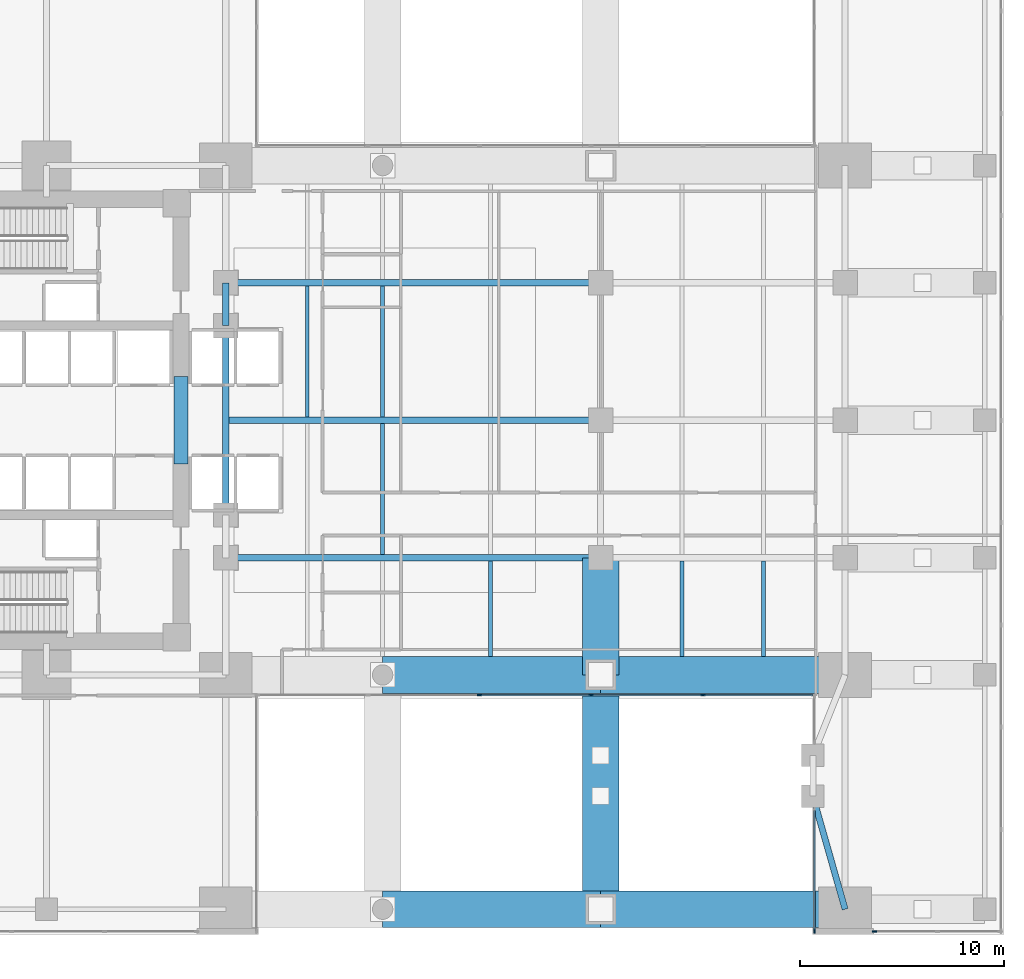
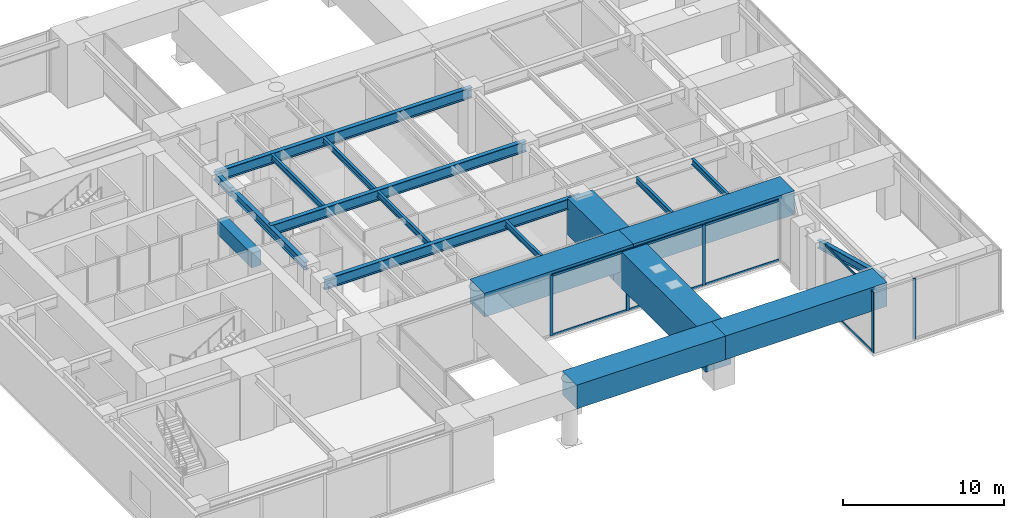
# One storey, part 3 of 13: 19 beams, 13 members, 3 elements without a shape of their own.
"""IFC4 building model written with IfcOpenShell, lengths in metres."""

from ifc_helpers import new_model, si_unit, direction, frame, origin, origin_2d, place, context, subcontext, project, spatial, rectangle, i_section, extrude, material, layer, layer_set, material_profile, profile_set, type_object, element, aggregate, save


model = new_model("IFC4")

# Units and contexts
model_context = context("Model", 3, precision=1e-05, world=origin(), true_north=direction((0.0, 1.0)))
body_context = subcontext(model_context, "Body", "Model", "MODEL_VIEW")
ifc_project = project(units=[si_unit("LENGTHUNIT", "METRE"), si_unit("AREAUNIT", "SQUARE_METRE"), si_unit("VOLUMEUNIT", "CUBIC_METRE"), si_unit("PLANEANGLEUNIT", "RADIAN"), si_unit("MASSUNIT", "GRAM", prefix="KILO")], contexts=[model_context])

# Site, building, storey
site_placement = place(None, origin())
site = spatial("IfcSite", under=ifc_project, at=site_placement, CompositionType="ELEMENT")
building_placement = place(site_placement, origin())
building = spatial("IfcBuilding", under=site, at=building_placement, Name="Kinhvarn Gate Tower", CompositionType="ELEMENT")
storey_placement = place(building_placement, frame((0.0, 0.0, 15.60009765625)))
storey = spatial("IfcBuildingStorey", under=building, at=storey_placement, Name="L03", CompositionType="ELEMENT", Elevation=15.60009765625)

# Beams
ifc_material_1 = material(Name="Concrete C70/85", Category="concrete")
ifc_material_profile_1 = material_profile(ifc_material_1, rectangle(XDim=0.699951171875, YDim=1.10009765625, at=origin_2d()), Name="RC 700x1100")
ifc_profile_set_1 = profile_set([ifc_material_profile_1], Name="Concrete C70/85")
beam_type_1 = type_object("IfcBeamType", Name="BM-CB-1100", PredefinedType="LINTEL", material=ifc_profile_set_1)
beam_1_placement = place(storey_placement, frame((17.60009765625, 23.10009765625, 4.0498046875), z_axis=(0.0, 1.0, 0.0), x_axis=(-1.0, 0.0, 0.0)))
element("IfcBeam", 1, at=beam_1_placement, inside=storey, type_object=beam_type_1, Name="Core East Portal Coupling Beam L03", PredefinedType="LINTEL", context=body_context, shape_type="SweptSolid", body=[
    extrude(rectangle(XDim=0.699951171875, YDim=1.10009765625, at=origin_2d()), origin(), (0.0, 0.0, 1.0), 4.2998046875),
])
ifc_material_profile_2 = material_profile(ifc_material_1, rectangle(XDim=1.800048828125, YDim=1.800048828125, at=origin_2d()), Name="RC 1800x1800")
ifc_profile_set_2 = profile_set([ifc_material_profile_2], Name="Concrete C70/85")
beam_type_2 = type_object("IfcBeamType", Name="BM-TG-1800SQ", PredefinedType="BEAM", material=ifc_profile_set_2)
beam_2_placement = place(storey_placement, frame((27.5, 1.25, 3.89990234375), z_axis=(1.0, 0.0, 0.0), x_axis=(0.0, 1.0, 0.0)))
element("IfcBeam", 2, at=beam_2_placement, inside=storey, type_object=beam_type_2, Name="Arch Box Transfer Girder TG-01B-1-2", PredefinedType="BEAM", context=body_context, shape_type="SweptSolid", body=[
    extrude(rectangle(XDim=1.800048828125, YDim=1.800048828125, at=origin_2d()), origin(), (0.0, 0.0, 1.0), 10.699951171875),
])
beam_3_placement = place(storey_placement, frame((38.199951171875, 1.25, 3.89990234375), z_axis=(1.0, 0.0, 0.0), x_axis=(0.0, 1.0, 0.0)))
element("IfcBeam", 3, at=beam_3_placement, inside=storey, type_object=beam_type_2, Name="Arch Box Transfer Girder TG-01B-1-3", PredefinedType="BEAM", context=body_context, shape_type="SweptSolid", body=[
    extrude(rectangle(XDim=1.800048828125, YDim=1.800048828125, at=origin_2d()), origin(), (0.0, 0.0, 1.0), 11.60009765625),
])
beam_4_placement = place(storey_placement, frame((27.5, 12.75, 3.89990234375), z_axis=(1.0, 0.0, 0.0), x_axis=(0.0, 1.0, 0.0)))
element("IfcBeam", 4, at=beam_4_placement, inside=storey, type_object=beam_type_2, Name="Arch Box Transfer Girder TG-01B-2-2", PredefinedType="BEAM", context=body_context, shape_type="SweptSolid", body=[
    extrude(rectangle(XDim=1.800048828125, YDim=1.800048828125, at=origin_2d()), origin(), (0.0, 0.0, 1.0), 10.699951171875),
])
beam_5_placement = place(storey_placement, frame((38.199951171875, 12.75, 3.89990234375), z_axis=(1.0, 0.0, 0.0), x_axis=(0.0, 1.0, 0.0)))
element("IfcBeam", 5, at=beam_5_placement, inside=storey, type_object=beam_type_2, Name="Arch Box Transfer Girder TG-01B-2-3", PredefinedType="BEAM", context=body_context, shape_type="SweptSolid", body=[
    extrude(rectangle(XDim=1.800048828125, YDim=1.800048828125, at=origin_2d()), origin(), (0.0, 0.0, 1.0), 11.60009765625),
])
ifc_material_profile_3 = material_profile(ifc_material_1, rectangle(XDim=1.800048828125, YDim=2.800048828125, at=origin_2d()), Name="RC 1800x2800")
ifc_profile_set_3 = profile_set([ifc_material_profile_3], Name="Concrete C70/85")
beam_type_3 = type_object("IfcBeamType", Name="BM-TG-2800", PredefinedType="BEAM", material=ifc_profile_set_3)
beam_6_placement = place(storey_placement, frame((38.199951171875, 1.25, 3.199951171875), z_axis=(0.0, 1.0, 0.0), x_axis=(-1.0, 0.0, 0.0)))
element("IfcBeam", 6, at=beam_6_placement, inside=storey, type_object=beam_type_3, Name="Primary Transverse Arch Transfer Girder TG-01-X38-1", PredefinedType="BEAM", context=body_context, shape_type="SweptSolid", body=[
    extrude(rectangle(XDim=1.800048828125, YDim=2.800048828125, at=origin_2d()), origin(), (0.0, 0.0, 1.0), 11.5),
])
beam_7_placement = place(storey_placement, frame((38.199951171875, 12.75, 3.199951171875), z_axis=(0.0, 1.0, 0.0), x_axis=(-1.0, 0.0, 0.0)))
element("IfcBeam", 7, at=beam_7_placement, inside=storey, type_object=beam_type_3, Name="Primary Transverse Arch Transfer Girder TG-01-X38-M", PredefinedType="BEAM", context=body_context, shape_type="SweptSolid", body=[
    extrude(rectangle(XDim=1.800048828125, YDim=2.800048828125, at=origin_2d()), origin(), (0.0, 0.0, 1.0), 5.75),
])

# Curtain wall, member
ifc_material_2 = material(Name="Anodised aluminium AW-6063", Category="aluminium")
ifc_layer = layer(ifc_material_2, 0.219970703125)
ifc_layer_set = layer_set([ifc_layer], Name="Anodised aluminium AW-6063")
curtain_wall_type = type_object("IfcCurtainWallType", Name="CW-SYS-1", PredefinedType="NOTDEFINED", material=ifc_layer_set)
curtain_wall_1_placement = place(storey_placement, origin())
curtain_wall_1 = element("IfcCurtainWall", 8, at=curtain_wall_1_placement, inside=storey, type_object=curtain_wall_type, Name="Curtain Wall CW1 (L03)", PredefinedType="NOTDEFINED")
ifc_material_profile_4 = material_profile(ifc_material_2, rectangle(XDim=0.080078125, YDim=0.219970703125, at=origin_2d()), Name="ALU 80x220")
ifc_profile_set_4 = profile_set([ifc_material_profile_4], Name="Anodised aluminium AW-6063")
member_type_1 = type_object("IfcMemberType", Name="CW-MUL-220", PredefinedType="MULLION", material=ifc_profile_set_4)
member_1_placement = place(storey_placement, frame((51.639892578125, 0.14990234375, 0.0), z_axis=(0.0, 0.0, 1.0), x_axis=(0.0, 1.0, 0.0)))
member_1 = element("IfcMember", 9, at=member_1_placement, type_object=member_type_1, Name="CW1 mullion 1", PredefinedType="MULLION", context=body_context, shape_type="SweptSolid", body=[
    extrude(rectangle(XDim=0.080078125, YDim=0.219970703125, at=origin_2d()), origin(), (0.0, 0.0, 1.0), 4.599853515625),
])
aggregate(curtain_wall_1, [member_1])

# Curtain wall, members
curtain_wall_2_placement = place(storey_placement, origin())
curtain_wall_2 = element("IfcCurtainWall", 10, at=curtain_wall_2_placement, inside=storey, type_object=curtain_wall_type, Name="Curtain Wall CW1 (L03)", PredefinedType="NOTDEFINED")
member_2_placement = place(storey_placement, frame((32.261962890625, 11.760009765625, 0.0), z_axis=(0.0, 0.0, 1.0), x_axis=(0.0, 1.0, 0.0)))
member_2 = element("IfcMember", 11, at=member_2_placement, type_object=member_type_1, Name="CW1 mullion 3", PredefinedType="MULLION", context=body_context, shape_type="SweptSolid", body=[
    extrude(rectangle(XDim=0.080078125, YDim=0.219970703125, at=origin_2d()), origin(), (0.0, 0.0, 1.0), 4.599853515625),
])
member_3_placement = place(storey_placement, frame((37.738037109375, 11.760009765625, 0.0), z_axis=(0.0, 0.0, 1.0), x_axis=(0.0, 1.0, 0.0)))
member_3 = element("IfcMember", 12, at=member_3_placement, type_object=member_type_1, Name="CW1 mullion 4", PredefinedType="MULLION", context=body_context, shape_type="SweptSolid", body=[
    extrude(rectangle(XDim=0.080078125, YDim=0.219970703125, at=origin_2d()), origin(), (0.0, 0.0, 1.0), 4.599853515625),
])
member_4_placement = place(storey_placement, frame((43.214111328125, 11.760009765625, 0.0), z_axis=(0.0, 0.0, 1.0), x_axis=(0.0, 1.0, 0.0)))
member_4 = element("IfcMember", 13, at=member_4_placement, type_object=member_type_1, Name="CW1 mullion 5", PredefinedType="MULLION", context=body_context, shape_type="SweptSolid", body=[
    extrude(rectangle(XDim=0.080078125, YDim=0.219970703125, at=origin_2d()), origin(), (0.0, 0.0, 1.0), 4.599853515625),
])

# Curtain wall, member
curtain_wall_3_placement = place(storey_placement, origin())
curtain_wall_3 = element("IfcCurtainWall", 14, at=curtain_wall_3_placement, inside=storey, type_object=curtain_wall_type, Name="Curtain Wall CW1 (L03)", PredefinedType="NOTDEFINED")
member_5_placement = place(storey_placement, frame((48.68994140625, 0.18994140625, 0.0), z_axis=(0.0, 0.0, 1.0), x_axis=(1.0, 0.0, 0.0)))
member_5 = element("IfcMember", 15, at=member_5_placement, type_object=member_type_1, Name="CW1 mullion 2", PredefinedType="MULLION", context=body_context, shape_type="SweptSolid", body=[
    extrude(rectangle(XDim=0.080078125, YDim=0.219970703125, at=origin_2d()), origin(), (0.0, 0.0, 1.0), 4.599853515625),
])

# Member
ifc_material_profile_5 = material_profile(ifc_material_2, rectangle(XDim=0.080078125, YDim=0.159912109375, at=origin_2d()), Name="ALU 80x160")
ifc_profile_set_5 = profile_set([ifc_material_profile_5], Name="Anodised aluminium AW-6063")
member_type_2 = type_object("IfcMemberType", Name="CW-TRN-160", PredefinedType="USERDEFINED", material=ifc_profile_set_5)
member_6_placement = place(storey_placement, frame((32.302001953125, 11.760009765625, 0.039794921875), z_axis=(1.0, 0.0, 0.0), x_axis=(0.0, 1.0, 0.0)))
member_6 = element("IfcMember", 16, at=member_6_placement, type_object=member_type_2, Name="CW1 transom 3.1", ObjectType="TRANSOM", PredefinedType="USERDEFINED", context=body_context, shape_type="SweptSolid", body=[
    extrude(rectangle(XDim=0.080078125, YDim=0.159912109375, at=origin_2d()), origin(), (0.0, 0.0, 1.0), 5.39599609375),
])

member_7_placement = place(storey_placement, frame((32.302001953125, 11.760009765625, 4.559814453125), z_axis=(1.0, 0.0, 0.0), x_axis=(0.0, 1.0, 0.0)))
member_7 = element("IfcMember", 17, at=member_7_placement, type_object=member_type_2, Name="CW1 transom 3.2", ObjectType="TRANSOM", PredefinedType="USERDEFINED", context=body_context, shape_type="SweptSolid", body=[
    extrude(rectangle(XDim=0.080078125, YDim=0.159912109375, at=origin_2d()), origin(), (0.0, 0.0, 1.0), 5.39599609375),
])

member_8_placement = place(storey_placement, frame((37.778076171875, 11.760009765625, 0.039794921875), z_axis=(1.0, 0.0, 0.0), x_axis=(0.0, 1.0, 0.0)))
member_8 = element("IfcMember", 18, at=member_8_placement, type_object=member_type_2, Name="CW1 transom 4.1", ObjectType="TRANSOM", PredefinedType="USERDEFINED", context=body_context, shape_type="SweptSolid", body=[
    extrude(rectangle(XDim=0.080078125, YDim=0.159912109375, at=origin_2d()), origin(), (0.0, 0.0, 1.0), 5.39599609375),
])

member_9_placement = place(storey_placement, frame((37.778076171875, 11.760009765625, 4.559814453125), z_axis=(1.0, 0.0, 0.0), x_axis=(0.0, 1.0, 0.0)))
member_9 = element("IfcMember", 19, at=member_9_placement, type_object=member_type_2, Name="CW1 transom 4.2", ObjectType="TRANSOM", PredefinedType="USERDEFINED", context=body_context, shape_type="SweptSolid", body=[
    extrude(rectangle(XDim=0.080078125, YDim=0.159912109375, at=origin_2d()), origin(), (0.0, 0.0, 1.0), 5.39599609375),
])

member_10_placement = place(storey_placement, frame((43.25390625, 11.760009765625, 0.039794921875), z_axis=(1.0, 0.0, 0.0), x_axis=(0.0, 1.0, 0.0)))
member_10 = element("IfcMember", 20, at=member_10_placement, type_object=member_type_2, Name="CW1 transom 5.1", ObjectType="TRANSOM", PredefinedType="USERDEFINED", context=body_context, shape_type="SweptSolid", body=[
    extrude(rectangle(XDim=0.080078125, YDim=0.159912109375, at=origin_2d()), origin(), (0.0, 0.0, 1.0), 5.356201171875),
])

member_11_placement = place(storey_placement, frame((43.25390625, 11.760009765625, 4.559814453125), z_axis=(1.0, 0.0, 0.0), x_axis=(0.0, 1.0, 0.0)))
member_11 = element("IfcMember", 21, at=member_11_placement, type_object=member_type_2, Name="CW1 transom 5.2", ObjectType="TRANSOM", PredefinedType="USERDEFINED", context=body_context, shape_type="SweptSolid", body=[
    extrude(rectangle(XDim=0.080078125, YDim=0.159912109375, at=origin_2d()), origin(), (0.0, 0.0, 1.0), 5.356201171875),
])

aggregate(curtain_wall_2, [member_2, member_3, member_4, member_6, member_7, member_8, member_9, member_10, member_11])

member_12_placement = place(storey_placement, frame((48.68994140625, 6.090087890625, 0.039794921875), z_axis=(0.0, -1.0, 0.0), x_axis=(1.0, 0.0, 0.0)))
member_12 = element("IfcMember", 22, at=member_12_placement, type_object=member_type_2, Name="CW1 transom 1.1", ObjectType="TRANSOM", PredefinedType="USERDEFINED", context=body_context, shape_type="SweptSolid", body=[
    extrude(rectangle(XDim=0.080078125, YDim=0.159912109375, at=origin_2d()), origin(), (0.0, 0.0, 1.0), 5.860107421875),
])

member_13_placement = place(storey_placement, frame((48.68994140625, 6.090087890625, 4.559814453125), z_axis=(0.0, -1.0, 0.0), x_axis=(1.0, 0.0, 0.0)))
member_13 = element("IfcMember", 23, at=member_13_placement, type_object=member_type_2, Name="CW1 transom 1.2", ObjectType="TRANSOM", PredefinedType="USERDEFINED", context=body_context, shape_type="SweptSolid", body=[
    extrude(rectangle(XDim=0.080078125, YDim=0.159912109375, at=origin_2d()), origin(), (0.0, 0.0, 1.0), 5.860107421875),
])

aggregate(curtain_wall_3, [member_5, member_12, member_13])

# Beams
ifc_material_3 = material(Name="Steel S355", Category="steel")
ifc_material_profile_6 = material_profile(ifc_material_3, i_section(OverallWidth=0.300048828125, OverallDepth=0.60009765625, WebThickness=0.015380859375, FlangeThickness=0.030029296875, at=origin_2d()), Name="HEB 600")
ifc_profile_set_6 = profile_set([ifc_material_profile_6], Name="Steel S355")
beam_type_4 = type_object("IfcBeamType", Name="STL-HEB600", PredefinedType="BEAM", material=ifc_profile_set_6)
beam_8_placement = place(storey_placement, frame((48.6201171875, 6.800048828125, 4.2998046875), z_axis=(0.273776643474, -0.961793298733, 0.0), x_axis=(0.961793298733, 0.273776643474, 0.0)))
element("IfcBeam", 24, at=beam_8_placement, inside=storey, type_object=beam_type_4, Name="Floor Beam PG-16 (L03 TIE-SE1-AP)", PredefinedType="BEAM", context=body_context, shape_type="SweptSolid", body=[
    extrude(i_section(OverallWidth=0.300048828125, OverallDepth=0.60009765625, WebThickness=0.015380859375, FlangeThickness=0.030029296875, at=origin_2d()), origin(), (0.0, 0.0, 1.0), 5.7705078125),
])
beam_9_placement = place(storey_placement, frame((19.800048828125, 20.60009765625, 4.2998046875), z_axis=(0.0, 1.0, 0.0), x_axis=(-1.0, 0.0, 0.0)))
element("IfcBeam", 25, at=beam_9_placement, inside=storey, type_object=beam_type_4, Name="Floor Beam PG-16 (L03 APW-4)", PredefinedType="BEAM", context=body_context, shape_type="SweptSolid", body=[
    extrude(i_section(OverallWidth=0.300048828125, OverallDepth=0.60009765625, WebThickness=0.015380859375, FlangeThickness=0.030029296875, at=origin_2d()), origin(), (0.0, 0.0, 1.0), 9.2998046875),
])
beam_10_placement = place(storey_placement, frame((19.800048828125, 29.89990234375, 4.2998046875), z_axis=(0.0, 1.0, 0.0), x_axis=(-1.0, 0.0, 0.0)))
element("IfcBeam", 26, at=beam_10_placement, inside=storey, type_object=beam_type_4, Name="Floor Beam PG-16 (L03 APW-5)", PredefinedType="BEAM", context=body_context, shape_type="SweptSolid", body=[
    extrude(i_section(OverallWidth=0.300048828125, OverallDepth=0.60009765625, WebThickness=0.015380859375, FlangeThickness=0.030029296875, at=origin_2d()), origin(), (0.0, 0.0, 1.0), 2.10009765625),
])
ifc_material_profile_7 = material_profile(ifc_material_3, i_section(OverallWidth=0.300048828125, OverallDepth=0.800048828125, WebThickness=0.017578125, FlangeThickness=0.032958984375, at=origin_2d()), Name="HEB 800")
ifc_profile_set_7 = profile_set([ifc_material_profile_7], Name="Steel S355")
beam_type_5 = type_object("IfcBeamType", Name="STL-HEB800", PredefinedType="BEAM", material=ifc_profile_set_7)
for number, where, z_axis, x_axis, name in (
    (27, (19.800048828125, 18.5, 4.199951171875), (1.0, 0.0, 0.0), (0.0, 1.0, 0.0), "Floor Beam PG-19 (L03 POD-EW1-18)"),
    (28, (19.800048828125, 25.25, 4.199951171875), (1.0, 0.0, 0.0), (0.0, 1.0, 0.0), "Floor Beam PG-19 (L03 POD-EW1-25)"),
    (29, (19.800048828125, 32.0, 4.199951171875), (1.0, 0.0, 0.0), (0.0, 1.0, 0.0), "Floor Beam PG-19 (L03 POD-EW1-32)"),
):
    element("IfcBeam", number, at=place(storey_placement, frame(where, z_axis=z_axis, x_axis=x_axis)), inside=storey, type_object=beam_type_5, Name=name, PredefinedType="BEAM", context=body_context, shape_type="SweptSolid", body=[
        extrude(i_section(OverallWidth=0.300048828125, OverallDepth=0.800048828125, WebThickness=0.017578125, FlangeThickness=0.032958984375, at=origin_2d()), origin(), (0.0, 0.0, 1.0), 18.39990234375),
    ])
ifc_material_profile_8 = material_profile(ifc_material_3, i_section(OverallWidth=0.18994140625, OverallDepth=0.449951171875, WebThickness=0.009521484375, FlangeThickness=0.0146484375, at=origin_2d()), Name="IPE 450")
ifc_profile_set_8 = profile_set([ifc_material_profile_8], Name="Steel S355")
beam_type_6 = type_object("IfcBeamType", Name="STL-IPE450", PredefinedType="JOIST", material=ifc_profile_set_8)
for number, where, z_axis, x_axis, name in (
    (30, (32.800048828125, 13.64990234375, 4.375), (0.0, 1.0, 0.0), (-1.0, 0.0, 0.0), "Floor Joist SB-06 (L03 POD-J328-12)"),
    (31, (42.199951171875, 13.64990234375, 4.375), (0.0, 1.0, 0.0), (-1.0, 0.0, 0.0), "Floor Joist SB-06 (L03 POD-J422-12)"),
    (32, (46.199951171875, 13.64990234375, 4.375), (0.0, 1.0, 0.0), (-1.0, 0.0, 0.0), "Floor Joist SB-06 (L03 POD-J462-12)"),
):
    element("IfcBeam", number, at=place(storey_placement, frame(where, z_axis=z_axis, x_axis=x_axis)), inside=storey, type_object=beam_type_6, Name=name, PredefinedType="JOIST", context=body_context, shape_type="SweptSolid", body=[
        extrude(i_section(OverallWidth=0.18994140625, OverallDepth=0.449951171875, WebThickness=0.009521484375, FlangeThickness=0.0146484375, at=origin_2d()), origin(), (0.0, 0.0, 1.0), 4.7001953125),
    ])
for number, where, z_axis, x_axis, name in (
    (33, (27.5, 18.64990234375, 4.375), (0.0, 1.0, 0.0), (-1.0, 0.0, 0.0), "Floor Joist SB-06 (L03 POD-J275-18)"),
    (34, (23.800048828125, 25.39990234375, 4.375), (0.0, 1.0, 0.0), (-1.0, 0.0, 0.0), "Floor Joist SB-06 (L03 POD-J238-25)"),
    (35, (27.5, 25.39990234375, 4.375), (0.0, 1.0, 0.0), (-1.0, 0.0, 0.0), "Floor Joist SB-06 (L03 POD-J275-25)"),
):
    element("IfcBeam", number, at=place(storey_placement, frame(where, z_axis=z_axis, x_axis=x_axis)), inside=storey, type_object=beam_type_6, Name=name, PredefinedType="JOIST", context=body_context, shape_type="SweptSolid", body=[
        extrude(i_section(OverallWidth=0.18994140625, OverallDepth=0.449951171875, WebThickness=0.009521484375, FlangeThickness=0.0146484375, at=origin_2d()), origin(), (0.0, 0.0, 1.0), 6.4501953125),
    ])

save(model, "model.ifc")
